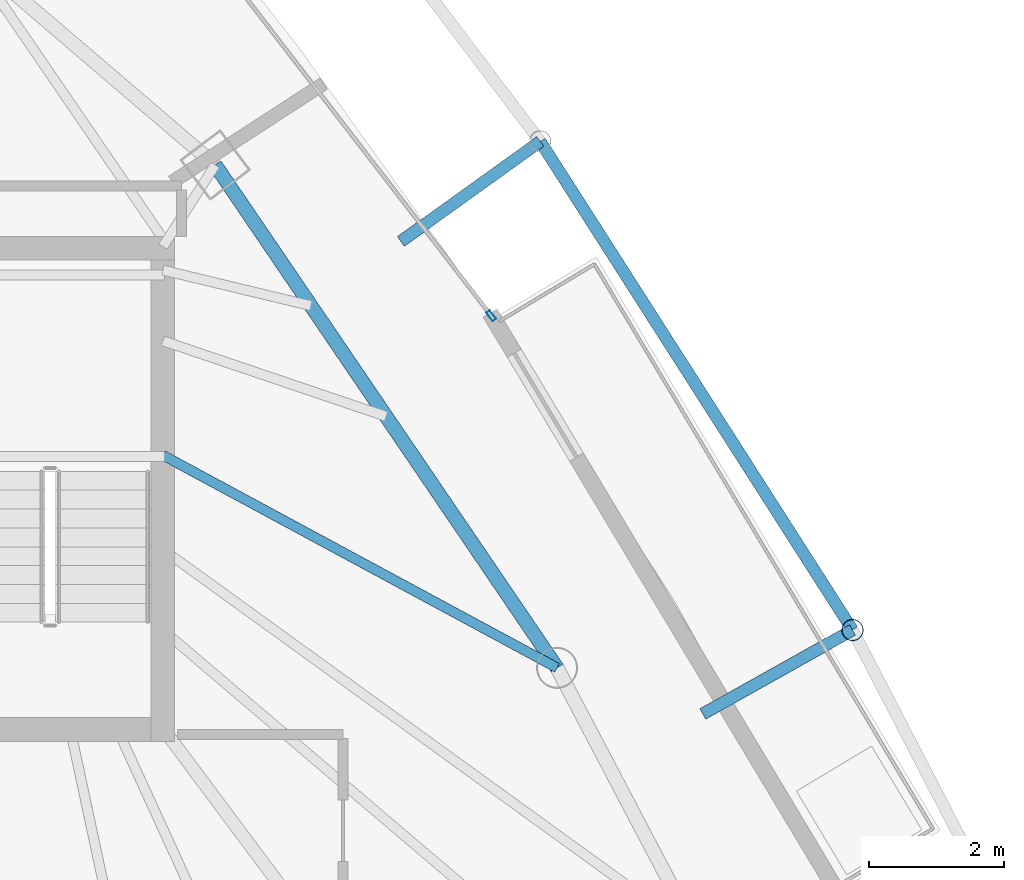
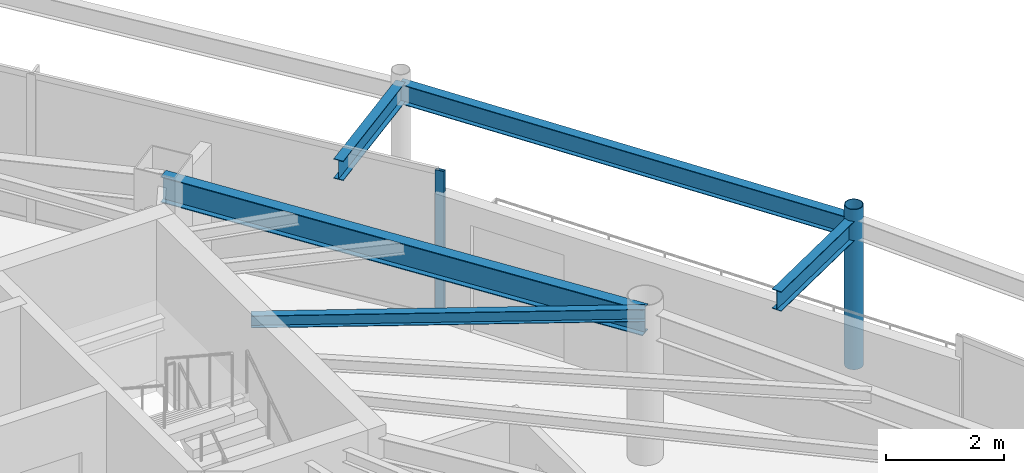
# One storey, part 20 of 30: 5 beams, 2 members, 1 element without a shape of its own.
"""IFC4 building model written with IfcOpenShell, lengths in metres."""

from ifc_helpers import new_model, si_unit, direction, frame, origin, origin_2d, place, context, subcontext, project, spatial, hollow_rectangle, hollow_circle, i_section, extrude, material, layer, layer_set, material_profile, profile_set, type_object, element, aggregate, save


model = new_model("IFC4")

# Units and contexts
model_context = context("Model", 3, precision=1e-05, world=origin(), true_north=direction((0.0, 1.0)))
body_context = subcontext(model_context, "Body", "Model", "MODEL_VIEW")
ifc_project = project(units=[si_unit("LENGTHUNIT", "METRE"), si_unit("AREAUNIT", "SQUARE_METRE"), si_unit("VOLUMEUNIT", "CUBIC_METRE"), si_unit("PLANEANGLEUNIT", "RADIAN"), si_unit("MASSUNIT", "GRAM", prefix="KILO")], contexts=[model_context])

# Site, building, storey
site_placement = place(None, origin())
site = spatial("IfcSite", under=ifc_project, at=site_placement, CompositionType="ELEMENT")
building_placement = place(site_placement, origin())
building = spatial("IfcBuilding", under=site, at=building_placement, Name="Orvanel Arch Residences", CompositionType="ELEMENT")
storey_placement = place(building_placement, frame((0.0, 0.0, 226.10009765625)))
storey = spatial("IfcBuildingStorey", under=building, at=storey_placement, Name="L64", CompositionType="ELEMENT", Elevation=226.10009765625)

# Beam
ifc_material_1 = material(Name="Structural steel AS/NZS 3679.1 Grade 300 (300 MPa)", Category="steel")
ifc_material_profile_1 = material_profile(ifc_material_1, i_section(OverallWidth=0.14599609375, OverallDepth=0.251953125, WebThickness=0.006103515625, FlangeThickness=0.008544921875, at=origin_2d()), Name="250UB31.4")
ifc_profile_set_1 = profile_set([ifc_material_profile_1], Name="Structural steel AS/NZS 3679.1 Grade 300 (300 MPa)")
beam_type_1 = type_object("IfcBeamType", Name="BJ-250UB", PredefinedType="JOIST", material=ifc_profile_set_1)
beam_1_placement = place(storey_placement, frame((39.574951171875, 30.800048828125, 2.933837890625), z_axis=(0.880111494021, -0.474767056664, 0.0), x_axis=(0.474767056664, 0.880111494021, 0.0)))
element("IfcBeam", 1, at=beam_1_placement, inside=storey, type_object=beam_type_1, Name="L64 NE Wing Floor Joist", PredefinedType="JOIST", context=body_context, shape_type="SweptSolid", body=[
    extrude(i_section(OverallWidth=0.14599609375, OverallDepth=0.251953125, WebThickness=0.006103515625, FlangeThickness=0.008544921875, at=origin_2d()), origin(), (0.0, 0.0, 1.0), 6.653564453125),
])

# Curtain wall, member
ifc_material_2 = material(Name="Bronze-anodised aluminium AA6063-T6", Category="aluminium")
ifc_layer = layer(ifc_material_2, 0.175048828125)
ifc_layer_set = layer_set([ifc_layer], Name="Bronze-anodised aluminium AA6063-T6")
curtain_wall_type = type_object("IfcCurtainWallType", Name="CW4-HI-SYS", PredefinedType="NOTDEFINED", material=ifc_layer_set)
curtain_wall_placement = place(storey_placement, origin())
curtain_wall = element("IfcCurtainWall", 2, at=curtain_wall_placement, inside=storey, type_object=curtain_wall_type, Name="L64 CW4-HI-SYS Unitised Curtain Wall", PredefinedType="NOTDEFINED")
ifc_material_profile_2 = material_profile(ifc_material_2, hollow_rectangle(XDim=0.06494140625, YDim=0.159912109375, WallThickness=0.00390625, at=origin_2d()), Name="ALU160x65x4")
ifc_profile_set_2 = profile_set([ifc_material_profile_2], Name="Bronze-anodised aluminium AA6063-T6")
member_type_1 = type_object("IfcMemberType", Name="MUL-160x65", PredefinedType="MULLION", material=ifc_profile_set_2)
member_1_placement = place(storey_placement, frame((44.4541015625, 32.871826171875, 0.0), z_axis=(0.0, 0.0, 1.0), x_axis=(-0.791845950951, -0.610720877294, 0.0)))
member_1 = element("IfcMember", 3, at=member_1_placement, type_object=member_type_1, Name="CW-S4 mullion 1", PredefinedType="MULLION", context=body_context, shape_type="SweptSolid", body=[
    extrude(hollow_rectangle(XDim=0.06494140625, YDim=0.159912109375, WallThickness=0.00390625, at=origin_2d()), origin(), (0.0, 0.0, 1.0), 3.059814453125),
])
aggregate(curtain_wall, [member_1])

# Beams
ifc_material_profile_3 = material_profile(ifc_material_1, i_section(OverallWidth=0.177978515625, OverallDepth=0.406005859375, WebThickness=0.0078125, FlangeThickness=0.0126953125, at=origin_2d()), Name="410UB59.7")
ifc_profile_set_3 = profile_set([ifc_material_profile_3], Name="Structural steel AS/NZS 3679.1 Grade 300 (300 MPa)")
beam_type_2 = type_object("IfcBeamType", Name="OB-410UB-EXT", PredefinedType="SPANDREL", material=ifc_profile_set_3)
beam_2_placement = place(storey_placement, frame((47.596923828125, 26.9560546875, 2.85693359375), z_axis=(0.872285503141, 0.488996933539, 0.0), x_axis=(-0.488996933539, 0.872285503141, 0.0)))
element("IfcBeam", 4, at=beam_2_placement, inside=storey, type_object=beam_type_2, Name="L64 Outer Frame Radial Tie Beam 10", PredefinedType="SPANDREL", context=body_context, shape_type="SweptSolid", body=[
    extrude(i_section(OverallWidth=0.177978515625, OverallDepth=0.406005859375, WebThickness=0.0078125, FlangeThickness=0.0126953125, at=origin_2d()), origin(), (0.0, 0.0, 1.0), 2.5498046875),
])
beam_3_placement = place(storey_placement, frame((49.821044921875, 28.202880859375, 2.85693359375), z_axis=(-0.538537387741, 0.84260161524, 0.0), x_axis=(-0.84260161524, -0.538537387741, 0.0)))
element("IfcBeam", 5, at=beam_3_placement, inside=storey, type_object=beam_type_2, Name="L64 Outer Perimeter Floor Ring Beam 10", PredefinedType="SPANDREL", context=body_context, shape_type="SweptSolid", body=[
    extrude(i_section(OverallWidth=0.177978515625, OverallDepth=0.406005859375, WebThickness=0.0078125, FlangeThickness=0.0126953125, at=origin_2d()), origin(), (0.0, 0.0, 1.0), 8.6162109375),
])
beam_4_placement = place(storey_placement, frame((43.110107421875, 33.97607421875, 2.85693359375), z_axis=(0.812307446417, 0.58322946813, 0.0), x_axis=(-0.58322946813, 0.812307446417, 0.0)))
element("IfcBeam", 6, at=beam_4_placement, inside=storey, type_object=beam_type_2, Name="L64 Outer Frame Radial Tie Beam 11", PredefinedType="SPANDREL", context=body_context, shape_type="SweptSolid", body=[
    extrude(i_section(OverallWidth=0.177978515625, OverallDepth=0.406005859375, WebThickness=0.0078125, FlangeThickness=0.0126953125, at=origin_2d()), origin(), (0.0, 0.0, 1.0), 2.54931640625),
])
ifc_material_profile_4 = material_profile(ifc_material_1, i_section(OverallWidth=0.208984375, OverallDepth=0.532958984375, WebThickness=0.01025390625, FlangeThickness=0.015625, at=origin_2d()), Name="530UB92.4")
ifc_profile_set_4 = profile_set([ifc_material_profile_4], Name="Structural steel AS/NZS 3679.1 Grade 300 (300 MPa)")
beam_type_3 = type_object("IfcBeamType", Name="SP-530UB", PredefinedType="SPANDREL", material=ifc_profile_set_4)
beam_5_placement = place(storey_placement, frame((45.430908203125, 27.64111328125, 2.79296875), z_axis=(-0.562154793153, 0.827032035978, 0.0), x_axis=(-0.827032035978, -0.562154793153, 0.0)))
element("IfcBeam", 7, at=beam_5_placement, inside=storey, type_object=beam_type_3, Name="L64 Perimeter Spandrel Beam 08", PredefinedType="SPANDREL", context=body_context, shape_type="SweptSolid", body=[
    extrude(i_section(OverallWidth=0.208984375, OverallDepth=0.532958984375, WebThickness=0.01025390625, FlangeThickness=0.015625, at=origin_2d()), origin(), (0.0, 0.0, 1.0), 9.03466796875),
])

# Member
ifc_material_3 = material(Name="Structural steel AS/NZS 1163 C350L0 (Grade 350)", Category="steel")
ifc_material_profile_5 = material_profile(ifc_material_3, hollow_circle(Radius=0.162109375, WallThickness=0.0126953125, at=origin_2d()), Name="CHS324x12.7")
ifc_profile_set_5 = profile_set([ifc_material_profile_5], Name="Structural steel AS/NZS 1163 C350L0 (Grade 350)")
member_type_2 = type_object("IfcMemberType", Name="ST-324CHS-EXT", PredefinedType="STRUT", material=ifc_profile_set_5)
member_2_placement = place(storey_placement, frame((49.821044921875, 28.202880859375, 0.0), z_axis=(0.0, 0.0, 1.0), x_axis=(1.0, 0.0, 0.0)))
element("IfcMember", 8, at=member_2_placement, inside=storey, type_object=member_type_2, Name="L64 Outer Perimeter Frame Post 10", PredefinedType="STRUT", context=body_context, shape_type="SweptSolid", body=[
    extrude(hollow_circle(Radius=0.162109375, WallThickness=0.0126953125, at=origin_2d()), origin(), (0.0, 0.0, 1.0), 3.2998046875),
])

save(model, "model.ifc")
